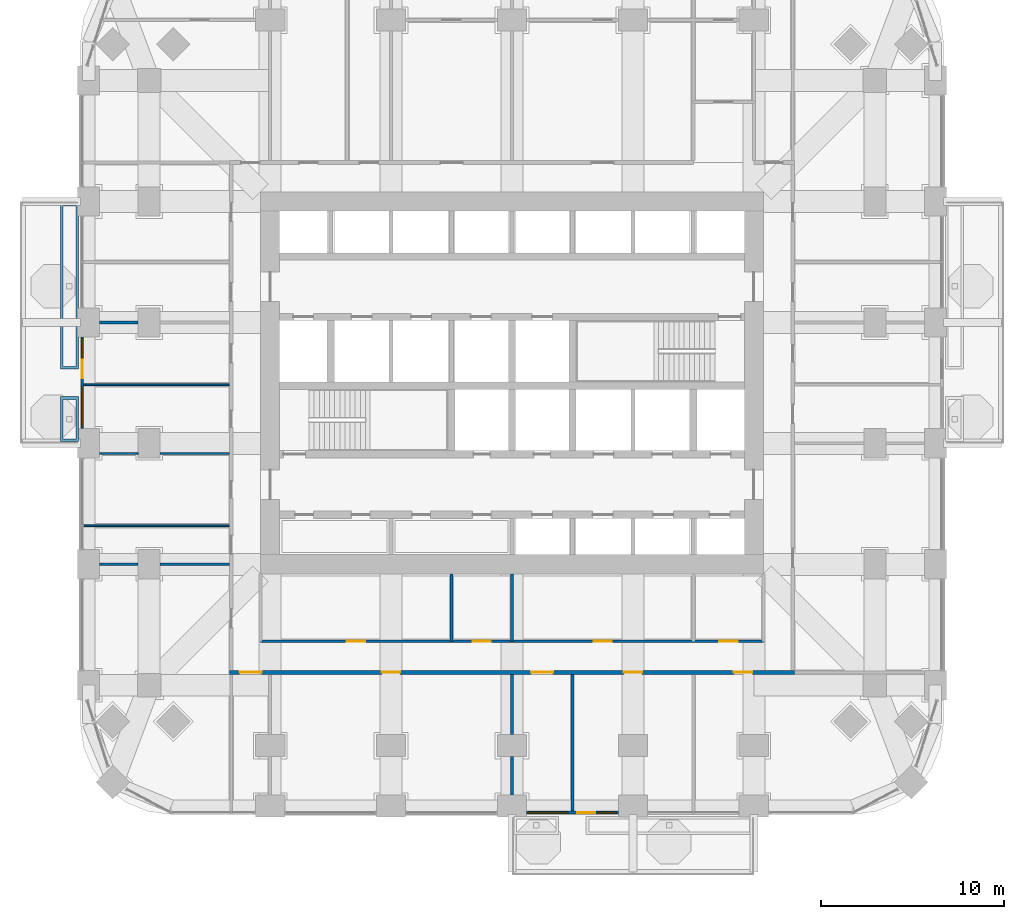
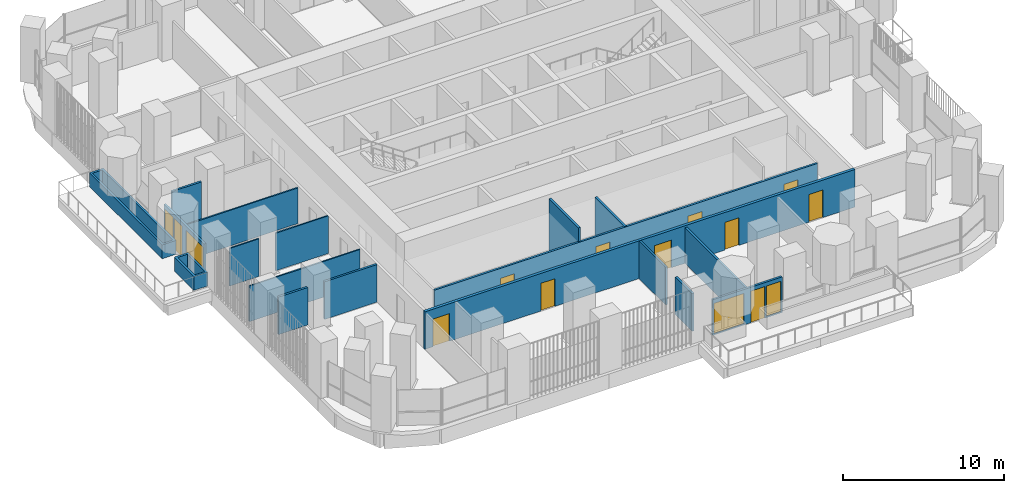
# One storey, part 14 of 23: 18 walls, 11 doors, 4 windows, 15 openings.
"""IFC4 building model written with IfcOpenShell, lengths in metres."""

from ifc_helpers import new_model, si_unit, direction, frame, frame_2d, origin, place, context, subcontext, project, spatial, polyline, rectangle, outline, extrude, material, layer, layer_set, type_object, element, fill, save


model = new_model("IFC4")

# Units and contexts
model_context = context("Model", 3, precision=1e-05, world=origin(), true_north=direction((0.0, 1.0)))
body_context = subcontext(model_context, "Body", "Model", "MODEL_VIEW")
ifc_project = project(units=[si_unit("LENGTHUNIT", "METRE"), si_unit("AREAUNIT", "SQUARE_METRE"), si_unit("VOLUMEUNIT", "CUBIC_METRE"), si_unit("PLANEANGLEUNIT", "RADIAN"), si_unit("MASSUNIT", "GRAM", prefix="KILO")], contexts=[model_context])

# Site, building, storey
site_placement = place(None, origin())
site = spatial("IfcSite", under=ifc_project, at=site_placement, CompositionType="ELEMENT")
building_placement = place(site_placement, origin())
building = spatial("IfcBuilding", under=site, at=building_placement, Name="Cobogo Forest Laboratory Tower", CompositionType="ELEMENT")
storey_placement = place(building_placement, frame((0.0, 0.0, 103.199951171875)))
storey = spatial("IfcBuildingStorey", under=building, at=storey_placement, Name="L23", CompositionType="ELEMENT", Elevation=103.199951171875)

# Wall, openings, door, windows
ifc_material_1 = material(Name="Aluminium framed glazed screen", Category="aluminium")
ifc_layer_1 = layer(ifc_material_1, 0.14990234375)
ifc_layer_set_1 = layer_set([ifc_layer_1], Name="GS1 glazed door screen 150")
wall_type_1 = type_object("IfcWallType", Name="GS1 glazed door screen 150", PredefinedType="SOLIDWALL", material=ifc_layer_set_1)
wall_1_placement = place(storey_placement, frame((27.199951171875, -0.35009765625, 0.0), z_axis=(0.0, 0.0, 1.0), x_axis=(1.0, 0.0, 0.0)))
wall_1 = element("IfcWall", 1, at=wall_1_placement, inside=storey, type_object=wall_type_1, Name="Door screen BAL-S1 L23", PredefinedType="SOLIDWALL", context=body_context, shape_type="SweptSolid", body=[
    extrude(rectangle(XDim=5.0, YDim=0.14990234375, at=frame_2d((2.5, 0.0))), origin(), (0.0, 0.0, 1.0), 2.699951171875),
])
opening_1_placement = place(wall_1_placement, frame((2.75, 0.0, 0.0)))
opening_1 = element("IfcOpeningElement", 2, at=opening_1_placement, cuts=wall_1, Name="Opening L23-D01", PredefinedType="OPENING", context=body_context, shape_type="SweptSolid", body=[
    extrude(rectangle(XDim=1.0, YDim=2.39990234375, at=frame_2d((0.5, 1.199951171875))), frame((0.0, 0.0849609375, 0.0), z_axis=(0.0, -1.0, 0.0), x_axis=(1.0, 0.0, 0.0)), (0.0, 0.0, 1.0), 0.169921875),
])
opening_2_placement = place(wall_1_placement, frame((0.10009765625, 0.0, 0.10009765625)))
opening_2 = element("IfcOpeningElement", 3, at=opening_2_placement, cuts=wall_1, Name="Opening L23-W01", PredefinedType="OPENING", context=body_context, shape_type="SweptSolid", body=[
    extrude(rectangle(XDim=2.14990234375, YDim=2.300048828125, at=frame_2d((1.074951171875, 1.14990234375))), frame((0.0, 0.0849609375, 0.0), z_axis=(0.0, -1.0, 0.0), x_axis=(1.0, 0.0, 0.0)), (0.0, 0.0, 1.0), 0.169921875),
])
opening_3_placement = place(wall_1_placement, frame((3.85009765625, 0.0, 0.10009765625)))
opening_3 = element("IfcOpeningElement", 4, at=opening_3_placement, cuts=wall_1, Name="Opening L23-W02", PredefinedType="OPENING", context=body_context, shape_type="SweptSolid", body=[
    extrude(rectangle(XDim=1.050048828125, YDim=2.300048828125, at=frame_2d((0.52490234375, 1.14990234375))), frame((0.0, 0.0849609375, 0.0), z_axis=(0.0, -1.0, 0.0), x_axis=(1.0, 0.0, 0.0)), (0.0, 0.0, 1.0), 0.169921875),
])
ifc_material_2 = material(Name="Aluminium glazed door", Category="aluminium")
door_type_1 = type_object("IfcDoorType", Name="DB1 balcony door 1000 glazed", OperationType="SINGLE_SWING_LEFT", PredefinedType="DOOR", material=ifc_material_2)
door_1_placement = place(opening_1_placement, origin())
door_1 = element("IfcDoor", 5, at=door_1_placement, inside=storey, type_object=door_type_1, Name="Door L23-BAL-S1", OperationType="SINGLE_SWING_RIGHT", OverallHeight=2.39990234375, OverallWidth=1.0, PredefinedType="DOOR", context=body_context, shape_type="SweptSolid", body=[
    extrude(rectangle(XDim=1.0, YDim=2.39990234375, at=frame_2d((0.5, 1.199951171875))), frame((0.0, 0.02490234375, 0.0), z_axis=(0.0, -1.0, 0.0), x_axis=(1.0, 0.0, 0.0)), (0.0, 0.0, 1.0), 0.050048828125),
])
fill(opening_1, door_1)
ifc_material_3 = material(Name="Aluminium framed glazing", Category="aluminium")
window_type_1 = type_object("IfcWindowType", Name="WG13 fixed glazed light 2150x2300", PartitioningType="SINGLE_PANEL", PredefinedType="WINDOW", material=ifc_material_3)
window_1_placement = place(opening_2_placement, origin())
window_1 = element("IfcWindow", 6, at=window_1_placement, inside=storey, type_object=window_type_1, Name="Window L23-BAL-S1-1", OverallHeight=2.300048828125, OverallWidth=2.14990234375, PartitioningType="SINGLE_PANEL", PredefinedType="WINDOW", context=body_context, shape_type="SweptSolid", body=[
    extrude(rectangle(XDim=2.14990234375, YDim=2.300048828125, at=frame_2d((1.074951171875, 1.14990234375))), frame((0.0, 0.030029296875, 0.0), z_axis=(0.0, -1.0, 0.0), x_axis=(1.0, 0.0, 0.0)), (0.0, 0.0, 1.0), 0.06005859375),
])
fill(opening_2, window_1)
window_type_2 = type_object("IfcWindowType", Name="WG14 fixed glazed light 1050x2300", PartitioningType="SINGLE_PANEL", PredefinedType="WINDOW", material=ifc_material_3)
window_2_placement = place(opening_3_placement, origin())
window_2 = element("IfcWindow", 7, at=window_2_placement, inside=storey, type_object=window_type_2, Name="Window L23-BAL-S1-2", OverallHeight=2.300048828125, OverallWidth=1.050048828125, PartitioningType="SINGLE_PANEL", PredefinedType="WINDOW", context=body_context, shape_type="SweptSolid", body=[
    extrude(rectangle(XDim=1.050048828125, YDim=2.300048828125, at=frame_2d((0.52490234375, 1.14990234375))), frame((0.0, 0.030029296875, 0.0), z_axis=(0.0, -1.0, 0.0), x_axis=(1.0, 0.0, 0.0)), (0.0, 0.0, 1.0), 0.06005859375),
])
fill(opening_3, window_2)

wall_2_placement = place(storey_placement, frame((2.949951171875, 25.60009765625, 0.0), z_axis=(0.0, 0.0, 1.0), x_axis=(0.0, -1.0, 0.0)))
wall_2 = element("IfcWall", 8, at=wall_2_placement, inside=storey, type_object=wall_type_1, Name="Door screen BAL-W1 L23", PredefinedType="SOLIDWALL", context=body_context, shape_type="SweptSolid", body=[
    extrude(rectangle(XDim=5.0, YDim=0.14990234375, at=frame_2d((2.5, 0.0))), origin(), (0.0, 0.0, 1.0), 2.699951171875),
])
opening_4_placement = place(wall_2_placement, frame((1.25, 0.0, 0.0)))
opening_4 = element("IfcOpeningElement", 9, at=opening_4_placement, cuts=wall_2, Name="Opening L23-D26", PredefinedType="OPENING", context=body_context, shape_type="SweptSolid", body=[
    extrude(rectangle(XDim=1.0, YDim=2.39990234375, at=frame_2d((0.5, 1.199951171875))), frame((0.0, 0.0849609375, 0.0), z_axis=(0.0, -1.0, 0.0), x_axis=(1.0, 0.0, 0.0)), (0.0, 0.0, 1.0), 0.169921875),
])
opening_5_placement = place(wall_2_placement, frame((0.10009765625, 0.0, 0.10009765625)))
opening_5 = element("IfcOpeningElement", 10, at=opening_5_placement, cuts=wall_2, Name="Opening L23-W05", PredefinedType="OPENING", context=body_context, shape_type="SweptSolid", body=[
    extrude(rectangle(XDim=1.050048828125, YDim=2.300048828125, at=frame_2d((0.52490234375, 1.14990234375))), frame((0.0, 0.0849609375, 0.0), z_axis=(0.0, -1.0, 0.0), x_axis=(1.0, 0.0, 0.0)), (0.0, 0.0, 1.0), 0.169921875),
])
opening_6_placement = place(wall_2_placement, frame((2.75, 0.0, 0.10009765625)))
opening_6 = element("IfcOpeningElement", 11, at=opening_6_placement, cuts=wall_2, Name="Opening L23-W03", PredefinedType="OPENING", context=body_context, shape_type="SweptSolid", body=[
    extrude(rectangle(XDim=2.14990234375, YDim=2.300048828125, at=frame_2d((1.074951171875, 1.14990234375))), frame((0.0, 0.0849609375, 0.0), z_axis=(0.0, -1.0, 0.0), x_axis=(1.0, 0.0, 0.0)), (0.0, 0.0, 1.0), 0.169921875),
])
door_2_placement = place(opening_4_placement, origin())
door_2 = element("IfcDoor", 12, at=door_2_placement, inside=storey, type_object=door_type_1, Name="Door L23-BAL-W1", OperationType="SINGLE_SWING_LEFT", OverallHeight=2.39990234375, OverallWidth=1.0, PredefinedType="DOOR", context=body_context, shape_type="SweptSolid", body=[
    extrude(rectangle(XDim=1.0, YDim=2.39990234375, at=frame_2d((0.5, 1.199951171875))), frame((0.0, 0.02490234375, 0.0), z_axis=(0.0, -1.0, 0.0), x_axis=(1.0, 0.0, 0.0)), (0.0, 0.0, 1.0), 0.050048828125),
])
fill(opening_4, door_2)
window_3_placement = place(opening_6_placement, origin())
window_3 = element("IfcWindow", 13, at=window_3_placement, inside=storey, type_object=window_type_1, Name="Window L23-BAL-W1-2", OverallHeight=2.300048828125, OverallWidth=2.14990234375, PartitioningType="SINGLE_PANEL", PredefinedType="WINDOW", context=body_context, shape_type="SweptSolid", body=[
    extrude(rectangle(XDim=2.14990234375, YDim=2.300048828125, at=frame_2d((1.074951171875, 1.14990234375))), frame((0.0, 0.030029296875, 0.0), z_axis=(0.0, -1.0, 0.0), x_axis=(1.0, 0.0, 0.0)), (0.0, 0.0, 1.0), 0.06005859375),
])
fill(opening_6, window_3)
window_4_placement = place(opening_5_placement, origin())
window_4 = element("IfcWindow", 14, at=window_4_placement, inside=storey, type_object=window_type_2, Name="Window L23-BAL-W1-1", OverallHeight=2.300048828125, OverallWidth=1.050048828125, PartitioningType="SINGLE_PANEL", PredefinedType="WINDOW", context=body_context, shape_type="SweptSolid", body=[
    extrude(rectangle(XDim=1.050048828125, YDim=2.300048828125, at=frame_2d((0.52490234375, 1.14990234375))), frame((0.0, 0.030029296875, 0.0), z_axis=(0.0, -1.0, 0.0), x_axis=(1.0, 0.0, 0.0)), (0.0, 0.0, 1.0), 0.06005859375),
])
fill(opening_5, window_4)

# Wall, openings, doors
ifc_material_4 = material(Name="Gypsum board on steel studs", Category="steel")
ifc_layer_2 = layer(ifc_material_4, 0.14990234375)
ifc_layer_set_2 = layer_set([ifc_layer_2], Name="PT1 laboratory partition 150")
wall_type_2 = type_object("IfcWallType", Name="PT1 laboratory partition 150", PredefinedType="PARTITIONING", material=ifc_layer_set_2)
wall_3_placement = place(storey_placement, frame((12.675048828125, 9.0, 0.0), z_axis=(0.0, 0.0, 1.0), x_axis=(1.0, 0.0, 0.0)))
wall_3 = element("IfcWall", 15, at=wall_3_placement, inside=storey, type_object=wall_type_2, Name="Partition CSTRIP-S L23", PredefinedType="PARTITIONING", context=body_context, shape_type="SweptSolid", body=[
    extrude(rectangle(XDim=27.449951171875, YDim=0.14990234375, at=frame_2d((13.72509765625, 0.0))), origin(), (0.0, 0.0, 1.0), 2.85009765625),
])
opening_7_placement = place(wall_3_placement, frame((4.71240234375, 0.0, 0.0)))
opening_7 = element("IfcOpeningElement", 16, at=opening_7_placement, cuts=wall_3, Name="Opening L23-D07", PredefinedType="OPENING", context=body_context, shape_type="SweptSolid", body=[
    extrude(rectangle(XDim=1.0, YDim=2.10009765625, at=frame_2d((0.5, 1.050048828125))), frame((0.0, 0.0849609375, 0.0), z_axis=(0.0, -1.0, 0.0), x_axis=(1.0, 0.0, 0.0)), (0.0, 0.0, 1.0), 0.169921875),
])
opening_8_placement = place(wall_3_placement, frame((11.574951171875, 0.0, 0.0)))
opening_8 = element("IfcOpeningElement", 17, at=opening_8_placement, cuts=wall_3, Name="Opening L23-D08", PredefinedType="OPENING", context=body_context, shape_type="SweptSolid", body=[
    extrude(rectangle(XDim=1.0, YDim=2.10009765625, at=frame_2d((0.5, 1.050048828125))), frame((0.0, 0.0849609375, 0.0), z_axis=(0.0, -1.0, 0.0), x_axis=(1.0, 0.0, 0.0)), (0.0, 0.0, 1.0), 0.169921875),
])
opening_9_placement = place(wall_3_placement, frame((18.175048828125, 0.0, 0.0)))
opening_9 = element("IfcOpeningElement", 18, at=opening_9_placement, cuts=wall_3, Name="Opening L23-D09", PredefinedType="OPENING", context=body_context, shape_type="SweptSolid", body=[
    extrude(rectangle(XDim=1.0, YDim=2.10009765625, at=frame_2d((0.5, 1.050048828125))), frame((0.0, 0.0849609375, 0.0), z_axis=(0.0, -1.0, 0.0), x_axis=(1.0, 0.0, 0.0)), (0.0, 0.0, 1.0), 0.169921875),
])
opening_10_placement = place(wall_3_placement, frame((25.03759765625, 0.0, 0.0)))
opening_10 = element("IfcOpeningElement", 19, at=opening_10_placement, cuts=wall_3, Name="Opening L23-D10", PredefinedType="OPENING", context=body_context, shape_type="SweptSolid", body=[
    extrude(rectangle(XDim=1.0, YDim=2.10009765625, at=frame_2d((0.5, 1.050048828125))), frame((0.0, 0.0849609375, 0.0), z_axis=(0.0, -1.0, 0.0), x_axis=(1.0, 0.0, 0.0)), (0.0, 0.0, 1.0), 0.169921875),
])
ifc_material_5 = material(Name="Timber fire door", Category="wood")
door_type_2 = type_object("IfcDoorType", Name="FD2 fire door 1000 EI2 30", OperationType="SINGLE_SWING_LEFT", PredefinedType="DOOR", material=ifc_material_5)
door_3_placement = place(opening_7_placement, origin())
door_3 = element("IfcDoor", 20, at=door_3_placement, inside=storey, type_object=door_type_2, Name="Door L23-CSS1", OperationType="SINGLE_SWING_LEFT", OverallHeight=2.10009765625, OverallWidth=1.0, PredefinedType="DOOR", context=body_context, shape_type="SweptSolid", body=[
    extrude(rectangle(XDim=1.0, YDim=2.10009765625, at=frame_2d((0.5, 1.050048828125))), frame((0.0, 0.02490234375, 0.0), z_axis=(0.0, -1.0, 0.0), x_axis=(1.0, 0.0, 0.0)), (0.0, 0.0, 1.0), 0.050048828125),
])
fill(opening_7, door_3)
door_4_placement = place(opening_8_placement, origin())
door_4 = element("IfcDoor", 21, at=door_4_placement, inside=storey, type_object=door_type_2, Name="Door L23-CSS2", OperationType="SINGLE_SWING_LEFT", OverallHeight=2.10009765625, OverallWidth=1.0, PredefinedType="DOOR", context=body_context, shape_type="SweptSolid", body=[
    extrude(rectangle(XDim=1.0, YDim=2.10009765625, at=frame_2d((0.5, 1.050048828125))), frame((0.0, 0.02490234375, 0.0), z_axis=(0.0, -1.0, 0.0), x_axis=(1.0, 0.0, 0.0)), (0.0, 0.0, 1.0), 0.050048828125),
])
fill(opening_8, door_4)
door_5_placement = place(opening_9_placement, origin())
door_5 = element("IfcDoor", 22, at=door_5_placement, inside=storey, type_object=door_type_2, Name="Door L23-CSS3", OperationType="SINGLE_SWING_RIGHT", OverallHeight=2.10009765625, OverallWidth=1.0, PredefinedType="DOOR", context=body_context, shape_type="SweptSolid", body=[
    extrude(rectangle(XDim=1.0, YDim=2.10009765625, at=frame_2d((0.5, 1.050048828125))), frame((0.0, 0.02490234375, 0.0), z_axis=(0.0, -1.0, 0.0), x_axis=(1.0, 0.0, 0.0)), (0.0, 0.0, 1.0), 0.050048828125),
])
fill(opening_9, door_5)
door_6_placement = place(opening_10_placement, origin())
door_6 = element("IfcDoor", 23, at=door_6_placement, inside=storey, type_object=door_type_2, Name="Door L23-CSS4", OperationType="SINGLE_SWING_RIGHT", OverallHeight=2.10009765625, OverallWidth=1.0, PredefinedType="DOOR", context=body_context, shape_type="SweptSolid", body=[
    extrude(rectangle(XDim=1.0, YDim=2.10009765625, at=frame_2d((0.5, 1.050048828125))), frame((0.0, 0.02490234375, 0.0), z_axis=(0.0, -1.0, 0.0), x_axis=(1.0, 0.0, 0.0)), (0.0, 0.0, 1.0), 0.050048828125),
])
fill(opening_10, door_6)

# Walls
wall_4_placement = place(storey_placement, frame((23.10009765625, 12.675048828125, 0.0), z_axis=(0.0, 0.0, 1.0), x_axis=(0.0, -1.0, 0.0)))
element("IfcWall", 24, at=wall_4_placement, inside=storey, type_object=wall_type_2, Name="Partition CSTRIP-S23.1 L23", PredefinedType="PARTITIONING", context=body_context, shape_type="SweptSolid", body=[
    extrude(rectangle(XDim=3.675048828125, YDim=0.14990234375, at=frame_2d((1.83740234375, 0.0))), origin(), (0.0, 0.0, 1.0), 3.900146484375),
])
wall_5_placement = place(storey_placement, frame((26.39990234375, 12.675048828125, 0.0), z_axis=(0.0, 0.0, 1.0), x_axis=(0.0, -1.0, 0.0)))
element("IfcWall", 25, at=wall_5_placement, inside=storey, type_object=wall_type_2, Name="Partition CSTRIP-S26.4 L23", PredefinedType="PARTITIONING", context=body_context, shape_type="SweptSolid", body=[
    extrude(rectangle(XDim=3.675048828125, YDim=0.14990234375, at=frame_2d((1.83740234375, 0.0))), origin(), (0.0, 0.0, 1.0), 2.85009765625),
])
wall_6_placement = place(storey_placement, frame((26.39990234375, 0.60009765625, 0.0), z_axis=(0.0, 0.0, 1.0), x_axis=(0.0, 1.0, 0.0)))
element("IfcWall", 26, at=wall_6_placement, inside=storey, type_object=wall_type_2, Name="Partition CUT-S26.4-1 L23", PredefinedType="PARTITIONING", context=body_context, shape_type="SweptSolid", body=[
    extrude(rectangle(XDim=2.099853515625, YDim=0.14990234375, at=frame_2d((1.0498046875, 0.0))), origin(), (0.0, 0.0, 1.0), 2.85009765625),
])
wall_7_placement = place(storey_placement, frame((26.39990234375, 3.89990234375, 0.0), z_axis=(0.0, 0.0, 1.0), x_axis=(0.0, 1.0, 0.0)))
element("IfcWall", 27, at=wall_7_placement, inside=storey, type_object=wall_type_2, Name="Partition CUT-S26.4-2 L23", PredefinedType="PARTITIONING", context=body_context, shape_type="SweptSolid", body=[
    extrude(rectangle(XDim=3.300048828125, YDim=0.14990234375, at=frame_2d((1.64990234375, 0.0))), origin(), (0.0, 0.0, 1.0), 2.85009765625),
])
wall_8_placement = place(storey_placement, frame((29.699951171875, -0.27001953125, 0.0), z_axis=(0.0, 0.0, 1.0), x_axis=(0.0, 1.0, 0.0)))
element("IfcWall", 28, at=wall_8_placement, inside=storey, type_object=wall_type_2, Name="Partition CUT-S29.7-1 L23", PredefinedType="PARTITIONING", context=body_context, shape_type="SweptSolid", body=[
    extrude(rectangle(XDim=7.469970703125, YDim=0.14990234375, at=frame_2d((3.73486328125, 0.0))), origin(), (0.0, 0.0, 1.0), 2.699951171875),
])
wall_9_placement = place(storey_placement, frame((3.89990234375, 13.199951171875, 0.0), z_axis=(0.0, 0.0, 1.0), x_axis=(1.0, 0.0, 0.0)))
element("IfcWall", 29, at=wall_9_placement, inside=storey, type_object=wall_type_2, Name="Partition CUT-W13.2-1 L23", PredefinedType="PARTITIONING", context=body_context, shape_type="SweptSolid", body=[
    extrude(rectangle(XDim=2.10009765625, YDim=0.14990234375, at=frame_2d((1.050048828125, 0.0))), origin(), (0.0, 0.0, 1.0), 2.85009765625),
])
wall_10_placement = place(storey_placement, frame((7.199951171875, 13.199951171875, 0.0), z_axis=(0.0, 0.0, 1.0), x_axis=(1.0, 0.0, 0.0)))
element("IfcWall", 30, at=wall_10_placement, inside=storey, type_object=wall_type_2, Name="Partition CUT-W13.2-2 L23", PredefinedType="PARTITIONING", context=body_context, shape_type="SweptSolid", body=[
    extrude(rectangle(XDim=3.775146484375, YDim=0.14990234375, at=frame_2d((1.8876953125, 0.0))), origin(), (0.0, 0.0, 1.0), 2.85009765625),
])
wall_11_placement = place(storey_placement, frame((3.89990234375, 26.39990234375, 0.0), z_axis=(0.0, 0.0, 1.0), x_axis=(1.0, 0.0, 0.0)))
element("IfcWall", 31, at=wall_11_placement, inside=storey, type_object=wall_type_2, Name="Partition CUT-W26.4-1 L23", PredefinedType="PARTITIONING", context=body_context, shape_type="SweptSolid", body=[
    extrude(rectangle(XDim=2.10009765625, YDim=0.14990234375, at=frame_2d((1.050048828125, 0.0))), origin(), (0.0, 0.0, 1.0), 2.85009765625),
])

# Wall, openings, doors
ifc_layer_3 = layer(ifc_material_4, 0.199951171875)
ifc_layer_set_3 = layer_set([ifc_layer_3], Name="PT2 fire-rated corridor partition 200")
wall_type_3 = type_object("IfcWallType", Name="PT2 fire-rated corridor partition 200", PredefinedType="PARTITIONING", material=ifc_layer_set_3)
wall_12_placement = place(storey_placement, frame((10.97509765625, 7.300048828125, 0.0), z_axis=(0.0, 0.0, 1.0), x_axis=(1.0, 0.0, 0.0)))
wall_12 = element("IfcWall", 32, at=wall_12_placement, inside=storey, type_object=wall_type_3, Name="Partition CORR-S L23", PredefinedType="PARTITIONING", context=body_context, shape_type="SweptSolid", body=[
    extrude(rectangle(XDim=30.849853515625, YDim=0.199951171875, at=frame_2d((15.4248046875, 0.0))), origin(), (0.0, 0.0, 1.0), 2.85009765625),
])
opening_11_placement = place(wall_12_placement, frame((0.5625, 0.0, 0.0)))
opening_11 = element("IfcOpeningElement", 33, at=opening_11_placement, cuts=wall_12, Name="Opening L23-D02", PredefinedType="OPENING", context=body_context, shape_type="SweptSolid", body=[
    extrude(rectangle(XDim=1.199951171875, YDim=2.10009765625, at=frame_2d((0.60009765625, 1.050048828125))), frame((0.0, 0.10986328125, 0.0), z_axis=(0.0, -1.0, 0.0), x_axis=(1.0, 0.0, 0.0)), (0.0, 0.0, 1.0), 0.219970703125),
])
opening_12_placement = place(wall_12_placement, frame((8.324951171875, 0.0, 0.0)))
opening_12 = element("IfcOpeningElement", 34, at=opening_12_placement, cuts=wall_12, Name="Opening L23-D03", PredefinedType="OPENING", context=body_context, shape_type="SweptSolid", body=[
    extrude(rectangle(XDim=1.0, YDim=2.10009765625, at=frame_2d((0.5, 1.050048828125))), frame((0.0, 0.10986328125, 0.0), z_axis=(0.0, -1.0, 0.0), x_axis=(1.0, 0.0, 0.0)), (0.0, 0.0, 1.0), 0.219970703125),
])
opening_13_placement = place(wall_12_placement, frame((16.47509765625, 0.0, 0.0)))
opening_13 = element("IfcOpeningElement", 35, at=opening_13_placement, cuts=wall_12, Name="Opening L23-D04", PredefinedType="OPENING", context=body_context, shape_type="SweptSolid", body=[
    extrude(rectangle(XDim=1.199951171875, YDim=2.10009765625, at=frame_2d((0.60009765625, 1.050048828125))), frame((0.0, 0.10986328125, 0.0), z_axis=(0.0, -1.0, 0.0), x_axis=(1.0, 0.0, 0.0)), (0.0, 0.0, 1.0), 0.219970703125),
])
opening_14_placement = place(wall_12_placement, frame((21.52490234375, 0.0, 0.0)))
opening_14 = element("IfcOpeningElement", 36, at=opening_14_placement, cuts=wall_12, Name="Opening L23-D05", PredefinedType="OPENING", context=body_context, shape_type="SweptSolid", body=[
    extrude(rectangle(XDim=1.0, YDim=2.10009765625, at=frame_2d((0.5, 1.050048828125))), frame((0.0, 0.10986328125, 0.0), z_axis=(0.0, -1.0, 0.0), x_axis=(1.0, 0.0, 0.0)), (0.0, 0.0, 1.0), 0.219970703125),
])
opening_15_placement = place(wall_12_placement, frame((27.53759765625, 0.0, 0.0)))
opening_15 = element("IfcOpeningElement", 37, at=opening_15_placement, cuts=wall_12, Name="Opening L23-D06", PredefinedType="OPENING", context=body_context, shape_type="SweptSolid", body=[
    extrude(rectangle(XDim=1.0, YDim=2.10009765625, at=frame_2d((0.5, 1.050048828125))), frame((0.0, 0.10986328125, 0.0), z_axis=(0.0, -1.0, 0.0), x_axis=(1.0, 0.0, 0.0)), (0.0, 0.0, 1.0), 0.219970703125),
])
ifc_material_6 = material(Name="Timber door", Category="wood")
door_type_3 = type_object("IfcDoorType", Name="D2 laboratory door 1200 unequal pair", OperationType="DOUBLE_DOOR_SINGLE_SWING", PredefinedType="DOOR", material=ifc_material_6)
door_7_placement = place(opening_11_placement, origin())
door_7 = element("IfcDoor", 38, at=door_7_placement, inside=storey, type_object=door_type_3, Name="Door L23-S1", OperationType="DOUBLE_DOOR_SINGLE_SWING", OverallHeight=2.10009765625, OverallWidth=1.199951171875, PredefinedType="DOOR", context=body_context, shape_type="SweptSolid", body=[
    extrude(rectangle(XDim=1.199951171875, YDim=2.10009765625, at=frame_2d((0.60009765625, 1.050048828125))), frame((0.0, 0.02490234375, 0.0), z_axis=(0.0, -1.0, 0.0), x_axis=(1.0, 0.0, 0.0)), (0.0, 0.0, 1.0), 0.050048828125),
])
fill(opening_11, door_7)
door_8_placement = place(opening_13_placement, origin())
door_8 = element("IfcDoor", 39, at=door_8_placement, inside=storey, type_object=door_type_3, Name="Door L23-S3", OperationType="DOUBLE_DOOR_SINGLE_SWING", OverallHeight=2.10009765625, OverallWidth=1.199951171875, PredefinedType="DOOR", context=body_context, shape_type="SweptSolid", body=[
    extrude(rectangle(XDim=1.199951171875, YDim=2.10009765625, at=frame_2d((0.60009765625, 1.050048828125))), frame((0.0, 0.02490234375, 0.0), z_axis=(0.0, -1.0, 0.0), x_axis=(1.0, 0.0, 0.0)), (0.0, 0.0, 1.0), 0.050048828125),
])
fill(opening_13, door_8)
ifc_material_7 = material(Name="Steel fire door", Category="steel")
door_type_4 = type_object("IfcDoorType", Name="FD1 fire door 1000 EI2 60", OperationType="SINGLE_SWING_LEFT", PredefinedType="DOOR", material=ifc_material_7)
door_9_placement = place(opening_14_placement, origin())
door_9 = element("IfcDoor", 40, at=door_9_placement, inside=storey, type_object=door_type_4, Name="Door L23-S4", OperationType="SINGLE_SWING_RIGHT", OverallHeight=2.10009765625, OverallWidth=1.0, PredefinedType="DOOR", context=body_context, shape_type="SweptSolid", body=[
    extrude(rectangle(XDim=1.0, YDim=2.10009765625, at=frame_2d((0.5, 1.050048828125))), frame((0.0, 0.02490234375, 0.0), z_axis=(0.0, -1.0, 0.0), x_axis=(1.0, 0.0, 0.0)), (0.0, 0.0, 1.0), 0.050048828125),
])
fill(opening_14, door_9)
door_10_placement = place(opening_12_placement, origin())
door_10 = element("IfcDoor", 41, at=door_10_placement, inside=storey, type_object=door_type_2, Name="Door L23-S2", OperationType="SINGLE_SWING_LEFT", OverallHeight=2.10009765625, OverallWidth=1.0, PredefinedType="DOOR", context=body_context, shape_type="SweptSolid", body=[
    extrude(rectangle(XDim=1.0, YDim=2.10009765625, at=frame_2d((0.5, 1.050048828125))), frame((0.0, 0.02490234375, 0.0), z_axis=(0.0, -1.0, 0.0), x_axis=(1.0, 0.0, 0.0)), (0.0, 0.0, 1.0), 0.050048828125),
])
fill(opening_12, door_10)
door_11_placement = place(opening_15_placement, origin())
door_11 = element("IfcDoor", 42, at=door_11_placement, inside=storey, type_object=door_type_2, Name="Door L23-S5", OperationType="SINGLE_SWING_RIGHT", OverallHeight=2.10009765625, OverallWidth=1.0, PredefinedType="DOOR", context=body_context, shape_type="SweptSolid", body=[
    extrude(rectangle(XDim=1.0, YDim=2.10009765625, at=frame_2d((0.5, 1.050048828125))), frame((0.0, 0.02490234375, 0.0), z_axis=(0.0, -1.0, 0.0), x_axis=(1.0, 0.0, 0.0)), (0.0, 0.0, 1.0), 0.050048828125),
])
fill(opening_15, door_11)

# Walls
ifc_layer_4 = layer(ifc_material_4, 0.10009765625)
ifc_layer_set_4 = layer_set([ifc_layer_4], Name="PT3 toilet partition 100")
wall_type_4 = type_object("IfcWallType", Name="PT3 toilet partition 100", PredefinedType="PARTITIONING", material=ifc_layer_set_4)
wall_13_placement = place(storey_placement, frame((3.030029296875, 15.300048828125, 0.0), z_axis=(0.0, 0.0, 1.0), x_axis=(1.0, 0.0, 0.0)))
element("IfcWall", 43, at=wall_13_placement, inside=storey, type_object=wall_type_4, Name="Partition SVC-W1-1 L23", PredefinedType="PARTITIONING", context=body_context, shape_type="SweptSolid", body=[
    extrude(rectangle(XDim=7.945068359375, YDim=0.10009765625, at=frame_2d((3.97265625, 0.0))), origin(), (0.0, 0.0, 1.0), 2.699951171875),
])
wall_14_placement = place(storey_placement, frame((3.89990234375, 19.25, 0.0), z_axis=(0.0, 0.0, 1.0), x_axis=(1.0, 0.0, 0.0)))
element("IfcWall", 44, at=wall_14_placement, inside=storey, type_object=wall_type_4, Name="Partition SVC-W2-1 L23", PredefinedType="PARTITIONING", context=body_context, shape_type="SweptSolid", body=[
    extrude(rectangle(XDim=2.10009765625, YDim=0.10009765625, at=frame_2d((1.050048828125, 0.0))), origin(), (0.0, 0.0, 1.0), 2.85009765625),
])
wall_15_placement = place(storey_placement, frame((7.199951171875, 19.25, 0.0), z_axis=(0.0, 0.0, 1.0), x_axis=(1.0, 0.0, 0.0)))
element("IfcWall", 45, at=wall_15_placement, inside=storey, type_object=wall_type_4, Name="Partition SVC-W2-2 L23", PredefinedType="PARTITIONING", context=body_context, shape_type="SweptSolid", body=[
    extrude(rectangle(XDim=3.775146484375, YDim=0.10009765625, at=frame_2d((1.8876953125, 0.0))), origin(), (0.0, 0.0, 1.0), 2.85009765625),
])
wall_16_placement = place(storey_placement, frame((3.030029296875, 23.0, 0.0), z_axis=(0.0, 0.0, 1.0), x_axis=(1.0, 0.0, 0.0)))
element("IfcWall", 46, at=wall_16_placement, inside=storey, type_object=wall_type_4, Name="Partition SVC-W3-1 L23", PredefinedType="PARTITIONING", context=body_context, shape_type="SweptSolid", body=[
    extrude(rectangle(XDim=7.945068359375, YDim=0.10009765625, at=frame_2d((3.97265625, 0.0))), origin(), (0.0, 0.0, 1.0), 2.699951171875),
])
ifc_material_8 = material(Name="Concrete HA-40 (C40/50)", Category="concrete")
ifc_layer_5 = layer(ifc_material_8, 0.14990234375)
ifc_layer_set_5 = layer_set([ifc_layer_5], Name="Planter box 1000x1050")
wall_type_5 = type_object("IfcWallType", Name="Planter box 1000x1050", PredefinedType="USERDEFINED", material=ifc_layer_set_5)
wall_17_placement = place(storey_placement, origin())
element("IfcWall", 47, at=wall_17_placement, inside=storey, type_object=wall_type_5, Name="Planter BAL-W1-1 L23", ObjectType="PLANTER", PredefinedType="USERDEFINED", context=body_context, shape_type="SweptSolid", body=[
    extrude(outline(polyline([(1.75, 19.89990234375), (2.75, 19.89990234375), (2.75, 22.35009765625), (1.75, 22.35009765625), (1.75, 19.89990234375)]), holes=[polyline([(1.89990234375, 20.050048828125), (2.60009765625, 20.050048828125), (2.60009765625, 22.199951171875), (1.89990234375, 22.199951171875), (1.89990234375, 20.050048828125)])]), origin(), (0.0, 0.0, 1.0), 1.050048828125),
])
wall_18_placement = place(storey_placement, origin())
element("IfcWall", 48, at=wall_18_placement, inside=storey, type_object=wall_type_5, Name="Planter BAL-W1-2 L23", ObjectType="PLANTER", PredefinedType="USERDEFINED", context=body_context, shape_type="SweptSolid", body=[
    extrude(outline(polyline([(1.75, 23.85009765625), (2.75, 23.85009765625), (2.75, 32.89990234375), (1.75, 32.89990234375), (1.75, 23.85009765625)]), holes=[polyline([(1.89990234375, 24.0), (2.60009765625, 24.0), (2.60009765625, 32.75), (1.89990234375, 32.75), (1.89990234375, 24.0)])]), origin(), (0.0, 0.0, 1.0), 1.050048828125),
])

save(model, "model.ifc")
